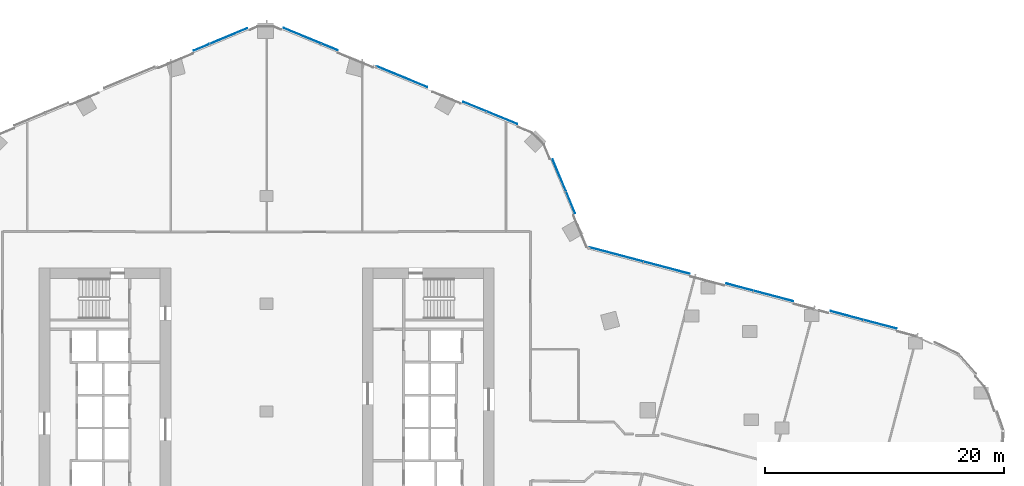
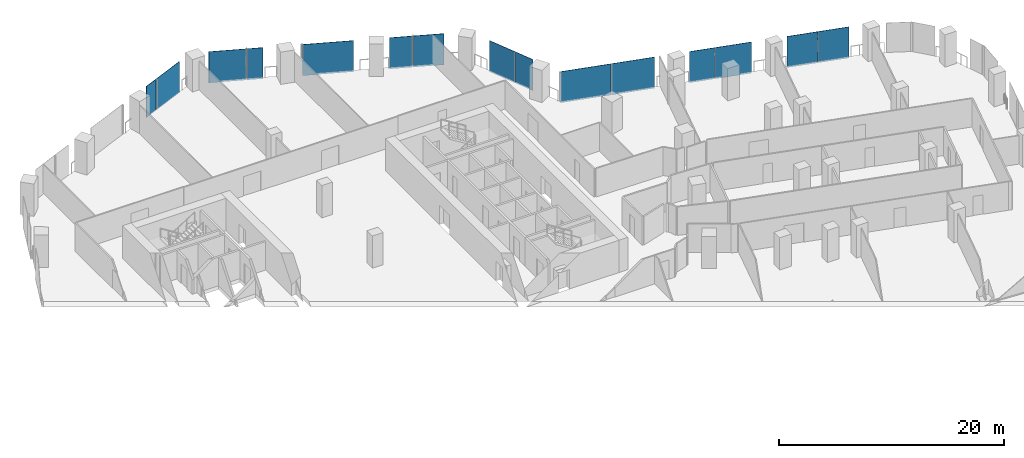
# One storey, part 21 of 34: 15 plates, 4 elements without a shape of their own.
"""IFC4 building model written with IfcOpenShell, lengths in metres."""

from ifc_helpers import new_model, si_unit, direction, frame, origin, origin_2d, place, context, subcontext, project, spatial, rectangle, extrude, material, layer, layer_set, type_object, element, aggregate, save


model = new_model("IFC4")

# Units and contexts
model_context = context("Model", 3, precision=1e-05, world=origin(), true_north=direction((0.0, 1.0)))
body_context = subcontext(model_context, "Body", "Model", "MODEL_VIEW")
ifc_project = project(units=[si_unit("LENGTHUNIT", "METRE"), si_unit("AREAUNIT", "SQUARE_METRE"), si_unit("VOLUMEUNIT", "CUBIC_METRE"), si_unit("PLANEANGLEUNIT", "RADIAN"), si_unit("MASSUNIT", "GRAM", prefix="KILO")], contexts=[model_context])

# Site, building, storey
site_placement = place(None, origin())
site = spatial("IfcSite", under=ifc_project, at=site_placement, CompositionType="ELEMENT")
building_placement = place(site_placement, origin())
building = spatial("IfcBuilding", under=site, at=building_placement, Name="Orlundy Tower", CompositionType="ELEMENT")
storey_placement = place(building_placement, frame((0.0, 0.0, 102.199951171875)))
storey = spatial("IfcBuildingStorey", under=building, at=storey_placement, Name="L25", CompositionType="ELEMENT", Elevation=102.199951171875)

# Curtain wall, plates
ifc_material_1 = material(Name="Aluminium bronze anodised", Category="aluminium")
curtain_wall_type = type_object("IfcCurtainWallType", Name="CW1 wall", PredefinedType="NOTDEFINED", material=ifc_material_1)
curtain_wall_1_placement = place(storey_placement, origin())
curtain_wall_1 = element("IfcCurtainWall", 1, at=curtain_wall_1_placement, inside=storey, type_object=curtain_wall_type, Name="CW1 run 015", PredefinedType="NOTDEFINED")
ifc_material_2 = material(Name="Tinted glass", Category="glass")
ifc_layer = layer(ifc_material_2, 0.031982421875)
ifc_layer_set = layer_set([ifc_layer], Name="CW1 glass panel 32")
plate_type = type_object("IfcPlateType", Name="CW1 glass panel 32", PredefinedType="CURTAIN_PANEL", material=ifc_layer_set)
plate_1_placement = place(storey_placement, frame((-5.4248046875, 30.42333984375, -0.27978515625), z_axis=(0.0, 0.0, 1.0), x_axis=(0.922759964351, 0.385375204433, 0.0)))
plate_1 = element("IfcPlate", 2, at=plate_1_placement, type_object=plate_type, Name="CW1 panel", PredefinedType="CURTAIN_PANEL", context=body_context, shape_type="SweptSolid", body=[
    extrude(rectangle(XDim=1.42529296875, YDim=0.031982421875, at=origin_2d()), origin(), (0.0, 0.0, 1.0), 3.3798828125),
])
plate_2_placement = place(storey_placement, frame((-3.164794921875, 31.3671875, -0.27978515625), z_axis=(0.0, 0.0, 1.0), x_axis=(0.922759964351, 0.385375204433, 0.0)))
plate_2 = element("IfcPlate", 3, at=plate_2_placement, type_object=plate_type, Name="CW1 panel", PredefinedType="CURTAIN_PANEL", context=body_context, shape_type="SweptSolid", body=[
    extrude(rectangle(XDim=3.373046875, YDim=0.031982421875, at=origin_2d()), origin(), (0.0, 0.0, 1.0), 3.3798828125),
])
aggregate(curtain_wall_1, [plate_1, plate_2])

curtain_wall_2_placement = place(storey_placement, origin())
curtain_wall_2 = element("IfcCurtainWall", 4, at=curtain_wall_2_placement, inside=storey, type_object=curtain_wall_type, Name="CW1 run 016", PredefinedType="NOTDEFINED")
plate_3_placement = place(storey_placement, frame((2.982666015625, 31.38525390625, -0.27978515625), z_axis=(0.0, 0.0, 1.0), x_axis=(0.924984462277, -0.380004927003, 0.0)))
plate_3 = element("IfcPlate", 5, at=plate_3_placement, type_object=plate_type, Name="CW1 panel", PredefinedType="CURTAIN_PANEL", context=body_context, shape_type="SweptSolid", body=[
    extrude(rectangle(XDim=3.373291015625, YDim=0.031982421875, at=origin_2d()), origin(), (0.0, 0.0, 1.0), 3.3798828125),
])
plate_4_placement = place(storey_placement, frame((5.252197265625, 30.452880859375, -0.27978515625), z_axis=(0.0, 0.0, 1.0), x_axis=(0.924984462277, -0.380004927003, 0.0)))
plate_4 = element("IfcPlate", 6, at=plate_4_placement, type_object=plate_type, Name="CW1 panel", PredefinedType="CURTAIN_PANEL", context=body_context, shape_type="SweptSolid", body=[
    extrude(rectangle(XDim=1.433837890625, YDim=0.031982421875, at=origin_2d()), origin(), (0.0, 0.0, 1.0), 3.3798828125),
])
plate_5_placement = place(storey_placement, frame((11.305908203125, 27.9658203125, -0.27978515625), z_axis=(0.0, 0.0, 1.0), x_axis=(0.924984462277, -0.380004927003, 0.0)))
plate_5 = element("IfcPlate", 7, at=plate_5_placement, type_object=plate_type, Name="CW1 panel", PredefinedType="CURTAIN_PANEL", context=body_context, shape_type="SweptSolid", body=[
    extrude(rectangle(XDim=4.58251953125, YDim=0.031982421875, at=origin_2d()), origin(), (0.0, 0.0, 1.0), 3.3798828125),
])
plate_6_placement = place(storey_placement, frame((17.382080078125, 25.4697265625, -0.27978515625), z_axis=(0.0, 0.0, 1.0), x_axis=(0.924984462277, -0.380004927003, 0.0)))
plate_6 = element("IfcPlate", 8, at=plate_6_placement, type_object=plate_type, Name="CW1 panel", PredefinedType="CURTAIN_PANEL", context=body_context, shape_type="SweptSolid", body=[
    extrude(rectangle(XDim=2.0615234375, YDim=0.031982421875, at=origin_2d()), origin(), (0.0, 0.0, 1.0), 3.3798828125),
])
plate_7_placement = place(storey_placement, frame((19.651123046875, 24.53759765625, -0.27978515625), z_axis=(0.0, 0.0, 1.0), x_axis=(0.924984462277, -0.380004927003, 0.0)))
plate_7 = element("IfcPlate", 9, at=plate_7_placement, type_object=plate_type, Name="CW1 panel", PredefinedType="CURTAIN_PANEL", context=body_context, shape_type="SweptSolid", body=[
    extrude(rectangle(XDim=2.74462890625, YDim=0.031982421875, at=origin_2d()), origin(), (0.0, 0.0, 1.0), 3.3798828125),
])
aggregate(curtain_wall_2, [plate_3, plate_4, plate_5, plate_6, plate_7])

curtain_wall_3_placement = place(storey_placement, origin())
curtain_wall_3 = element("IfcCurtainWall", 10, at=curtain_wall_3_placement, inside=storey, type_object=curtain_wall_type, Name="CW1 run 017", PredefinedType="NOTDEFINED")
plate_8_placement = place(storey_placement, frame((24.45263671875, 19.721435546875, -0.27978515625), z_axis=(0.0, 0.0, 1.0), x_axis=(0.385378258299, -0.922758688949, 0.0)))
plate_8 = element("IfcPlate", 11, at=plate_8_placement, type_object=plate_type, Name="CW1 panel", PredefinedType="CURTAIN_PANEL", context=body_context, shape_type="SweptSolid", body=[
    extrude(rectangle(XDim=2.8828125, YDim=0.031982421875, at=origin_2d()), origin(), (0.0, 0.0, 1.0), 3.3798828125),
])
plate_9_placement = place(storey_placement, frame((25.396484375, 17.46142578125, -0.27978515625), z_axis=(0.0, 0.0, 1.0), x_axis=(0.385378258299, -0.922758688949, 0.0)))
plate_9 = element("IfcPlate", 12, at=plate_9_placement, type_object=plate_type, Name="CW1 panel", PredefinedType="CURTAIN_PANEL", context=body_context, shape_type="SweptSolid", body=[
    extrude(rectangle(XDim=1.91552734375, YDim=0.031982421875, at=origin_2d()), origin(), (0.0, 0.0, 1.0), 3.3798828125),
])
aggregate(curtain_wall_3, [plate_8, plate_9])

curtain_wall_4_placement = place(storey_placement, origin())
curtain_wall_4 = element("IfcCurtainWall", 13, at=curtain_wall_4_placement, inside=storey, type_object=curtain_wall_type, Name="CW1 run 018", PredefinedType="NOTDEFINED")
plate_10_placement = place(storey_placement, frame((29.20654296875, 13.12451171875, -0.27978515625), z_axis=(0.0, 0.0, 1.0), x_axis=(0.966671560598, -0.256019713949, 0.0)))
plate_10 = element("IfcPlate", 14, at=plate_10_placement, type_object=plate_type, Name="CW1 panel", PredefinedType="CURTAIN_PANEL", context=body_context, shape_type="SweptSolid", body=[
    extrude(rectangle(XDim=4.649658203125, YDim=0.031982421875, at=origin_2d()), origin(), (0.0, 0.0, 1.0), 3.3798828125),
])
plate_11_placement = place(storey_placement, frame((33.410400390625, 12.01123046875, -0.27978515625), z_axis=(0.0, 0.0, 1.0), x_axis=(0.966671560598, -0.256019713949, 0.0)))
plate_11 = element("IfcPlate", 15, at=plate_11_placement, type_object=plate_type, Name="CW1 panel", PredefinedType="CURTAIN_PANEL", context=body_context, shape_type="SweptSolid", body=[
    extrude(rectangle(XDim=3.947998046875, YDim=0.031982421875, at=origin_2d()), origin(), (0.0, 0.0, 1.0), 3.3798828125),
])
plate_12_placement = place(storey_placement, frame((39.53173828125, 10.39013671875, -0.27978515625), z_axis=(0.0, 0.0, 1.0), x_axis=(0.966671560598, -0.256019713949, 0.0)))
plate_12 = element("IfcPlate", 16, at=plate_12_placement, type_object=plate_type, Name="CW1 panel", PredefinedType="CURTAIN_PANEL", context=body_context, shape_type="SweptSolid", body=[
    extrude(rectangle(XDim=2.309326171875, YDim=0.031982421875, at=origin_2d()), origin(), (0.0, 0.0, 1.0), 3.3798828125),
])
plate_13_placement = place(storey_placement, frame((42.329833984375, 9.64892578125, -0.27978515625), z_axis=(0.0, 0.0, 1.0), x_axis=(0.966671560598, -0.256019713949, 0.0)))
plate_13 = element("IfcPlate", 17, at=plate_13_placement, type_object=plate_type, Name="CW1 panel", PredefinedType="CURTAIN_PANEL", context=body_context, shape_type="SweptSolid", body=[
    extrude(rectangle(XDim=3.3798828125, YDim=0.031982421875, at=origin_2d()), origin(), (0.0, 0.0, 1.0), 3.3798828125),
])
plate_14_placement = place(storey_placement, frame((48.47412109375, 8.021728515625, -0.27978515625), z_axis=(0.0, 0.0, 1.0), x_axis=(0.966671560598, -0.256019713949, 0.0)))
plate_14 = element("IfcPlate", 18, at=plate_14_placement, type_object=plate_type, Name="CW1 panel", PredefinedType="CURTAIN_PANEL", context=body_context, shape_type="SweptSolid", body=[
    extrude(rectangle(XDim=2.82958984375, YDim=0.031982421875, at=origin_2d()), origin(), (0.0, 0.0, 1.0), 3.3798828125),
])
plate_15_placement = place(storey_placement, frame((51.251708984375, 7.2861328125, -0.27978515625), z_axis=(0.0, 0.0, 1.0), x_axis=(0.966671560598, -0.256019713949, 0.0)))
plate_15 = element("IfcPlate", 19, at=plate_15_placement, type_object=plate_type, Name="CW1 panel", PredefinedType="CURTAIN_PANEL", context=body_context, shape_type="SweptSolid", body=[
    extrude(rectangle(XDim=2.81689453125, YDim=0.031982421875, at=origin_2d()), origin(), (0.0, 0.0, 1.0), 3.3798828125),
])
aggregate(curtain_wall_4, [plate_10, plate_11, plate_12, plate_13, plate_14, plate_15])

save(model, "model.ifc")
